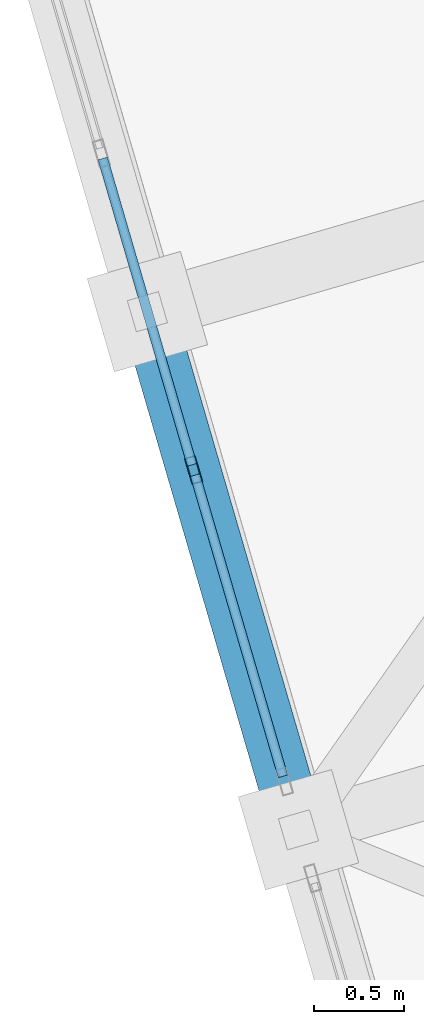
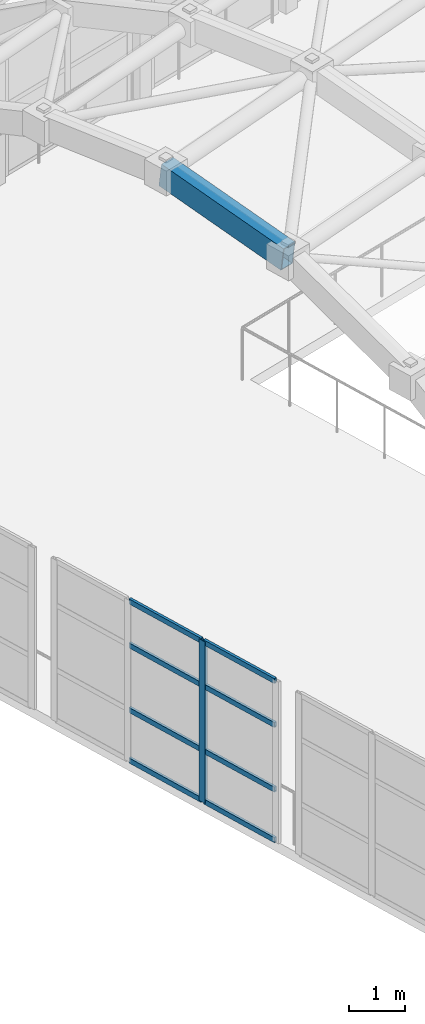
# One storey, part 38 of 248: 9 members, 1 beam, 1 element without a shape of its own.
"""IFC4 building model written with IfcOpenShell, lengths in metres."""

from ifc_helpers import new_model, si_unit, direction, frame, origin, origin_2d, place, context, subcontext, project, spatial, hollow_rectangle, extrude, material, layer, layer_set, material_profile, profile_set, type_object, element, aggregate, save


model = new_model("IFC4")

# Units and contexts
model_context = context("Model", 3, precision=1e-05, world=origin(), true_north=direction((0.0, 1.0)))
body_context = subcontext(model_context, "Body", "Model", "MODEL_VIEW")
ifc_project = project(units=[si_unit("LENGTHUNIT", "METRE"), si_unit("AREAUNIT", "SQUARE_METRE"), si_unit("VOLUMEUNIT", "CUBIC_METRE"), si_unit("PLANEANGLEUNIT", "RADIAN"), si_unit("MASSUNIT", "GRAM", prefix="KILO")], contexts=[model_context])

# Site, building, storey
site_placement = place(None, origin())
site = spatial("IfcSite", under=ifc_project, at=site_placement, CompositionType="ELEMENT")
building_placement = place(site_placement, origin())
building = spatial("IfcBuilding", under=site, at=building_placement, Name="Canggui Botanical Conservatory", CompositionType="ELEMENT")
storey_placement = place(building_placement, frame((0.0, 0.0, 5.39990234375)))
storey = spatial("IfcBuildingStorey", under=building, at=storey_placement, Name="L02", CompositionType="ELEMENT", Elevation=5.39990234375)

# Beam
ifc_material_1 = material(Name="Steel Q355C", Category="steel")
ifc_material_profile_1 = material_profile(ifc_material_1, hollow_rectangle(XDim=0.300048828125, YDim=0.5, WallThickness=0.01611328125, at=origin_2d()), Name="RHS 300x500x16")
ifc_profile_set_1 = profile_set([ifc_material_profile_1], Name="Steel Q355C")
beam_type = type_object("IfcBeamType", Name="BM-GJ01", PredefinedType="BEAM", material=ifc_profile_set_1)
beam_placement = place(storey_placement, frame((16.639892578125, 53.52001953125, 12.816162109375), z_axis=(-0.277696227377, 0.952239737831, 0.126981443507), x_axis=(-0.960010937337, -0.279962497833, 0.0)))
element("IfcBeam", 1, at=beam_placement, inside=storey, type_object=beam_type, Name="Conservatory Stepped-Arch Rib GJ-01 Segment 5", PredefinedType="BEAM", context=body_context, shape_type="SweptSolid", body=[
    extrude(hollow_rectangle(XDim=0.300048828125, YDim=0.5, WallThickness=0.01611328125, at=origin_2d()), origin(), (0.0, 0.0, 1.0), 3.0244140625),
])

# Curtain wall, members
ifc_material_2 = material(Name="Thermally Broken Aluminium", Category="aluminium")
ifc_layer = layer(ifc_material_2, 0.14990234375, Name="Thermally Broken Aluminium", Category="aluminium")
ifc_layer_set = layer_set([ifc_layer], Name="Thermally Broken Aluminium")
curtain_wall_type = type_object("IfcCurtainWallType", Name="CW-UNIT-C", PredefinedType="USERDEFINED", material=ifc_layer_set)
curtain_wall_placement = place(storey_placement, origin())
curtain_wall = element("IfcCurtainWall", 2, at=curtain_wall_placement, inside=storey, type_object=curtain_wall_type, Name="Facade Curtain Wall CW-CONS-GABLE-L02-S-03", ObjectType="UNITISED CURTAIN WALL", PredefinedType="USERDEFINED")
ifc_material_profile_2 = material_profile(ifc_material_2, hollow_rectangle(XDim=0.06005859375, YDim=0.14990234375, WallThickness=0.00341796875, at=origin_2d()), Name="CWM 60x150x3.5")
ifc_profile_set_2 = profile_set([ifc_material_profile_2], Name="Thermally Broken Aluminium")
member_type_1 = type_object("IfcMemberType", Name="CWM-03", PredefinedType="MULLION", material=ifc_profile_set_2)
member_1_placement = place(storey_placement, frame((16.056640625, 55.52001953125, 0.0), z_axis=(0.0, 0.0, 1.0), x_axis=(-0.960000000002, -0.279999999995, 0.0)))
member_1 = element("IfcMember", 3, at=member_1_placement, type_object=member_type_1, Name="CW-03 mullion 2", PredefinedType="MULLION", context=body_context, shape_type="SweptSolid", body=[
    extrude(hollow_rectangle(XDim=0.06005859375, YDim=0.14990234375, WallThickness=0.00341796875, at=origin_2d()), origin(), (0.0, 0.0, 1.0), 3.5),
])
ifc_material_profile_3 = material_profile(ifc_material_2, hollow_rectangle(XDim=0.054931640625, YDim=0.110107421875, WallThickness=0.0029296875, at=origin_2d()), Name="CWT 55x110x3")
ifc_profile_set_3 = profile_set([ifc_material_profile_3], Name="Thermally Broken Aluminium")
member_type_2 = type_object("IfcMemberType", Name="CWT-03", PredefinedType="USERDEFINED", material=ifc_profile_set_3)
member_2_placement = place(storey_placement, frame((16.55322265625, 53.817626953125, 0.027587890625), z_axis=(-0.279951599808, 0.960014115399, 0.0), x_axis=(-0.960014115399, -0.279951599808, 0.0)))
member_2 = element("IfcMember", 4, at=member_2_placement, type_object=member_type_2, Name="CW-03 transom 1.1", ObjectType="TRANSOM", PredefinedType="USERDEFINED", context=body_context, shape_type="SweptSolid", body=[
    extrude(hollow_rectangle(XDim=0.054931640625, YDim=0.110107421875, WallThickness=0.0029296875, at=origin_2d()), origin(), (0.0, 0.0, 1.0), 1.743408203125),
])
member_3_placement = place(storey_placement, frame((16.55322265625, 53.817626953125, 1.1201171875), z_axis=(-0.279951599808, 0.960014115399, 0.0), x_axis=(-0.960014115399, -0.279951599808, 0.0)))
member_3 = element("IfcMember", 5, at=member_3_placement, type_object=member_type_2, Name="CW-03 transom 1.2", ObjectType="TRANSOM", PredefinedType="USERDEFINED", context=body_context, shape_type="SweptSolid", body=[
    extrude(hollow_rectangle(XDim=0.054931640625, YDim=0.110107421875, WallThickness=0.0029296875, at=origin_2d()), origin(), (0.0, 0.0, 1.0), 1.743408203125),
])
member_4_placement = place(storey_placement, frame((16.55322265625, 53.817626953125, 2.52001953125), z_axis=(-0.279951599808, 0.960014115399, 0.0), x_axis=(-0.960014115399, -0.279951599808, 0.0)))
member_4 = element("IfcMember", 6, at=member_4_placement, type_object=member_type_2, Name="CW-03 transom 1.3", ObjectType="TRANSOM", PredefinedType="USERDEFINED", context=body_context, shape_type="SweptSolid", body=[
    extrude(hollow_rectangle(XDim=0.054931640625, YDim=0.110107421875, WallThickness=0.0029296875, at=origin_2d()), origin(), (0.0, 0.0, 1.0), 1.743408203125),
])
member_5_placement = place(storey_placement, frame((16.55322265625, 53.817626953125, 3.47265625), z_axis=(-0.279951599808, 0.960014115399, 0.0), x_axis=(-0.960014115399, -0.279951599808, 0.0)))
member_5 = element("IfcMember", 7, at=member_5_placement, type_object=member_type_2, Name="CW-03 transom 1.4", ObjectType="TRANSOM", PredefinedType="USERDEFINED", context=body_context, shape_type="SweptSolid", body=[
    extrude(hollow_rectangle(XDim=0.054931640625, YDim=0.110107421875, WallThickness=0.0029296875, at=origin_2d()), origin(), (0.0, 0.0, 1.0), 1.743408203125),
])
member_6_placement = place(storey_placement, frame((16.04833984375, 55.548828125, 0.027587890625), z_axis=(-0.280026433067, 0.95999228996, 0.0), x_axis=(-0.95999228996, -0.280026433067, 0.0)))
member_6 = element("IfcMember", 8, at=member_6_placement, type_object=member_type_2, Name="CW-03 transom 2.1", ObjectType="TRANSOM", PredefinedType="USERDEFINED", context=body_context, shape_type="SweptSolid", body=[
    extrude(hollow_rectangle(XDim=0.054931640625, YDim=0.110107421875, WallThickness=0.0029296875, at=origin_2d()), origin(), (0.0, 0.0, 1.0), 1.7734375),
])
member_7_placement = place(storey_placement, frame((16.04833984375, 55.548828125, 1.1201171875), z_axis=(-0.280026433067, 0.95999228996, 0.0), x_axis=(-0.95999228996, -0.280026433067, 0.0)))
member_7 = element("IfcMember", 9, at=member_7_placement, type_object=member_type_2, Name="CW-03 transom 2.2", ObjectType="TRANSOM", PredefinedType="USERDEFINED", context=body_context, shape_type="SweptSolid", body=[
    extrude(hollow_rectangle(XDim=0.054931640625, YDim=0.110107421875, WallThickness=0.0029296875, at=origin_2d()), origin(), (0.0, 0.0, 1.0), 1.7734375),
])
member_8_placement = place(storey_placement, frame((16.04833984375, 55.548828125, 2.52001953125), z_axis=(-0.280026433067, 0.95999228996, 0.0), x_axis=(-0.95999228996, -0.280026433067, 0.0)))
member_8 = element("IfcMember", 10, at=member_8_placement, type_object=member_type_2, Name="CW-03 transom 2.3", ObjectType="TRANSOM", PredefinedType="USERDEFINED", context=body_context, shape_type="SweptSolid", body=[
    extrude(hollow_rectangle(XDim=0.054931640625, YDim=0.110107421875, WallThickness=0.0029296875, at=origin_2d()), origin(), (0.0, 0.0, 1.0), 1.7734375),
])
member_9_placement = place(storey_placement, frame((16.04833984375, 55.548828125, 3.47265625), z_axis=(-0.280026433067, 0.95999228996, 0.0), x_axis=(-0.95999228996, -0.280026433067, 0.0)))
member_9 = element("IfcMember", 11, at=member_9_placement, type_object=member_type_2, Name="CW-03 transom 2.4", ObjectType="TRANSOM", PredefinedType="USERDEFINED", context=body_context, shape_type="SweptSolid", body=[
    extrude(hollow_rectangle(XDim=0.054931640625, YDim=0.110107421875, WallThickness=0.0029296875, at=origin_2d()), origin(), (0.0, 0.0, 1.0), 1.7734375),
])
aggregate(curtain_wall, [member_1, member_2, member_3, member_4, member_5, member_6, member_7, member_8, member_9])

save(model, "model.ifc")
